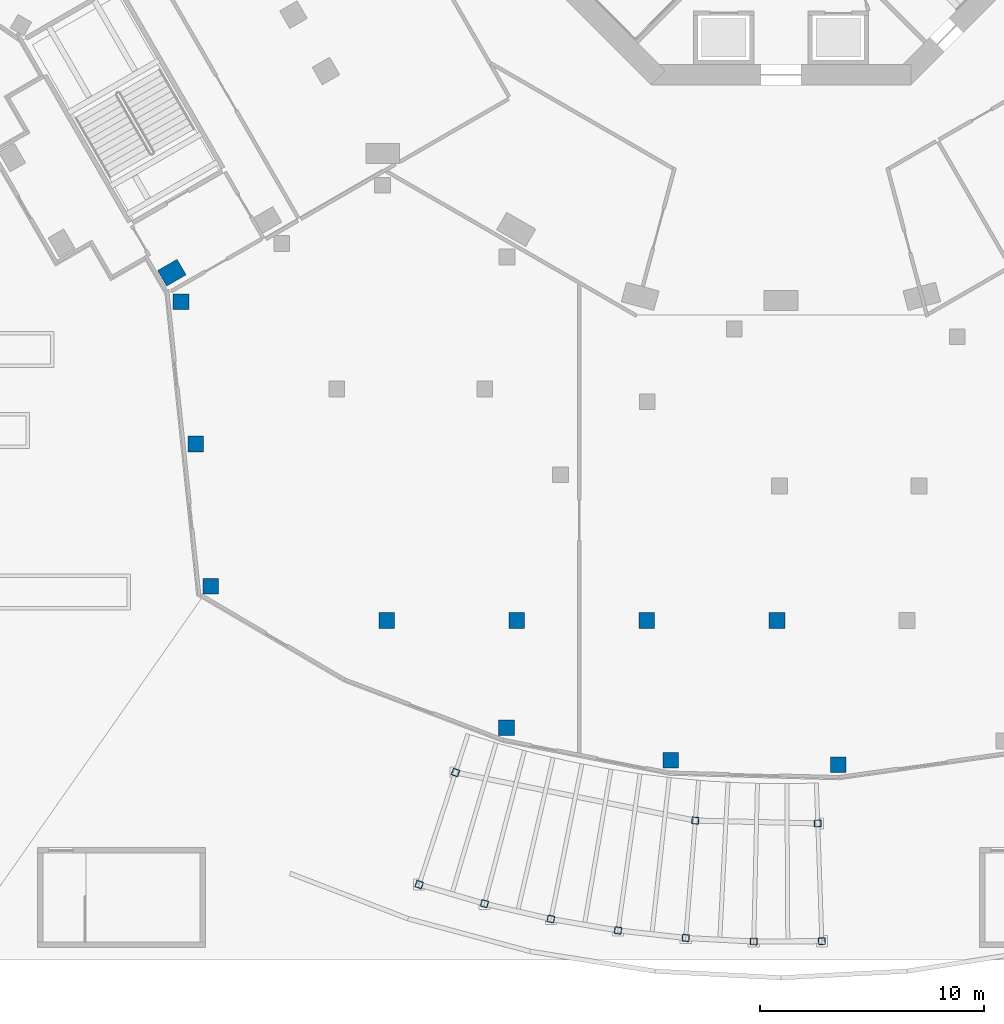
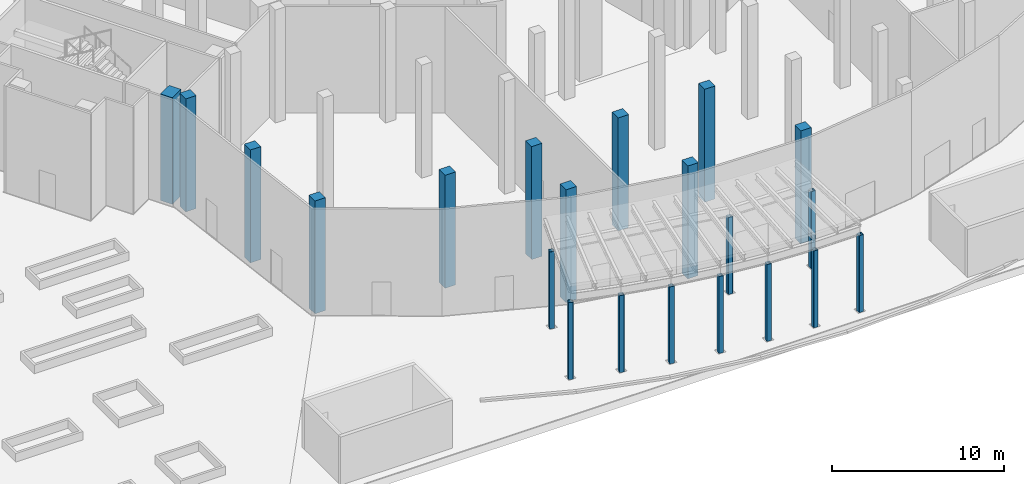
# One storey, part 1 of 30: 21 columns.
"""IFC4 building model written with IfcOpenShell, lengths in metres."""

from ifc_helpers import new_model, si_unit, direction, frame, origin, origin_2d, place, context, subcontext, project, spatial, rectangle, hollow_rectangle, extrude, material, material_profile, profile_set, type_object, element, save


model = new_model("IFC4")

# Units and contexts
model_context = context("Model", 3, precision=1e-05, world=origin(), true_north=direction((0.0, 1.0)))
body_context = subcontext(model_context, "Body", "Model", "MODEL_VIEW")
ifc_project = project(units=[si_unit("LENGTHUNIT", "METRE"), si_unit("AREAUNIT", "SQUARE_METRE"), si_unit("VOLUMEUNIT", "CUBIC_METRE"), si_unit("PLANEANGLEUNIT", "RADIAN"), si_unit("MASSUNIT", "GRAM", prefix="KILO")], contexts=[model_context])

# Site, building, storey
site_placement = place(None, origin())
site = spatial("IfcSite", under=ifc_project, at=site_placement, CompositionType="ELEMENT")
building_placement = place(site_placement, origin())
building = spatial("IfcBuilding", under=site, at=building_placement, Name="Verdalira Terraces Hotel", CompositionType="ELEMENT")
storey_placement = place(building_placement, origin())
storey = spatial("IfcBuildingStorey", under=building, at=storey_placement, Name="L00", CompositionType="ELEMENT", Elevation=0.0)

# Columns
ifc_material_1 = material(Name="Steel ASTM A500 Grade C", Category="steel")
ifc_material_profile_1 = material_profile(ifc_material_1, hollow_rectangle(XDim=0.3046875, YDim=0.3046875, WallThickness=0.0146484375, InnerFilletRadius=0.00732421875, OuterFilletRadius=0.022216796875, at=origin_2d()), Name="HSS12X12X5/8")
ifc_profile_set_1 = profile_set([ifc_material_profile_1], Name="Steel ASTM A500 Grade C")
column_type_1 = type_object("IfcColumnType", Name="Canopy column HSS12X12X5/8", PredefinedType="COLUMN", material=ifc_profile_set_1)
for number, where, z_axis, x_axis, name in (
    (1, (-16.130615, -49.645264, -0.060059), (0.0, 0.0, 1.0), (-0.309016994, -0.951056516, 0.0), "Canopy column K01"),
    (2, (-13.216797, -50.499023, -0.060059), (0.0, 0.0, 1.0), (-0.253195731, -0.967415072, 0.0), "Canopy column K02"),
    (3, (-10.258301, -51.182129, -0.060059), (0.0, 0.0, 1.0), (-0.196516039, -0.98050061, 0.0), "Canopy column K03"),
    (4, (-7.264893, -51.691895, -0.060059), (0.0, 0.0, 1.0), (-0.139173101, -0.990268069, 0.0), "Canopy column K04"),
    (5, (-4.246826, -52.0271, -0.060059), (0.0, 0.0, 1.0), (-0.081359255, -0.996684841, 0.0), "Canopy column K05"),
    (6, (-1.2146, -52.185791, -0.060059), (0.0, 0.0, 1.0), (-0.023268375, -0.999729255, 0.0), "Canopy column K06"),
    (7, (1.821777, -52.168213, -0.060059), (0.0, 0.0, 1.0), (0.034899497, -0.999390827, 0.0), "Canopy column K07"),
    (8, (-14.508301, -44.6521, -0.060059), (0.0, 0.0, 1.0), (-0.309016994, -0.951056516, 0.0), "Canopy column KI01"),
    (9, (-3.819824, -46.794434, -0.060059), (0.0, 0.0, 1.0), (-0.081359255, -0.996684841, 0.0), "Canopy column KI02"),
    (10, (1.638428, -46.921387, -0.060059), (0.0, 0.0, 1.0), (0.034899497, -0.999390827, 0.0), "Canopy column KI03"),
):
    element("IfcColumn", number, at=place(storey_placement, frame(where, z_axis=z_axis, x_axis=x_axis)), inside=storey, type_object=column_type_1, Name=name, PredefinedType="COLUMN", context=body_context, shape_type="SweptSolid", body=[
        extrude(hollow_rectangle(XDim=0.3046875, YDim=0.3046875, WallThickness=0.0146484375, InnerFilletRadius=0.00732421875, OuterFilletRadius=0.022216796875, at=origin_2d()), origin(), (0.0, 0.0, 1.0), 5.452881),
    ])
ifc_material_2 = material(Name="Concrete C80", Category="concrete")
ifc_material_profile_2 = material_profile(ifc_material_2, rectangle(XDim=1.0, YDim=0.800049, at=origin_2d()), Name="RC 1000X800")
ifc_profile_set_2 = profile_set([ifc_material_profile_2], Name="Concrete C80")
column_type_2 = type_object("IfcColumnType", Name="Column RC 1000X800 C80", PredefinedType="COLUMN", material=ifc_profile_set_2)
column_placement = place(storey_placement, frame((-27.151123, -22.372803, 0.0), z_axis=(0.0, 0.0, 1.0), x_axis=(0.866025404, 0.5, 0.0)))
element("IfcColumn", 11, at=column_placement, inside=storey, type_object=column_type_2, Name="Column C15", PredefinedType="COLUMN", context=body_context, shape_type="SweptSolid", body=[
    extrude(rectangle(XDim=1.0, YDim=0.800049, at=origin_2d()), origin(), (0.0, 0.0, 1.0), 7.550049),
])
ifc_material_3 = material(Name="Concrete C60", Category="concrete")
ifc_material_profile_3 = material_profile(ifc_material_3, rectangle(XDim=0.699951, YDim=0.699951, at=origin_2d()), Name="RC 700X700")
ifc_profile_set_3 = profile_set([ifc_material_profile_3], Name="Concrete C60")
column_type_3 = type_object("IfcColumnType", Name="Wing column RC 700X700 Concrete C60", PredefinedType="COLUMN", material=ifc_profile_set_3)
for number, where, z_axis, x_axis, name in (
    (12, (-26.748535, -23.664795, 0.0), (0.0, 0.0, 1.0), (0.0, -1.0, 0.0), "Wing column PC28"),
    (13, (-26.082275, -30.008789, 0.0), (0.0, 0.0, 1.0), (0.0, -1.0, 0.0), "Wing column PC31"),
    (14, (-25.416016, -36.353027, 0.0), (0.0, 0.0, 1.0), (0.0, -1.0, 0.0), "Wing column PC33"),
    (15, (-17.576904, -37.879883, 0.0), (0.0, 0.0, 1.0), (0.0, -1.0, 0.0), "Wing column PC36"),
    (16, (-11.778809, -37.879883, 0.0), (0.0, 0.0, 1.0), (0.0, -1.0, 0.0), "Wing column PC38"),
    (17, (-12.233154, -42.658447, 0.0), (0.0, 0.0, 1.0), (0.0, -1.0, 0.0), "Wing column PC39"),
    (18, (-5.980225, -37.879883, 0.0), (0.0, 0.0, 1.0), (0.0, -1.0, 0.0), "Wing column PC41"),
    (19, (-4.912109, -44.10498, 0.0), (0.0, 0.0, 1.0), (0.0, -1.0, 0.0), "Wing column PC42"),
    (20, (-0.181885, -37.879883, 0.0), (0.0, 0.0, 1.0), (0.0, -1.0, 0.0), "Wing column PC44"),
    (21, (2.548096, -44.304688, 0.0), (0.0, 0.0, 1.0), (0.0, -1.0, 0.0), "Wing column PC46"),
):
    element("IfcColumn", number, at=place(storey_placement, frame(where, z_axis=z_axis, x_axis=x_axis)), inside=storey, type_object=column_type_3, Name=name, PredefinedType="COLUMN", context=body_context, shape_type="SweptSolid", body=[
        extrude(rectangle(XDim=0.699951, YDim=0.699951, at=origin_2d()), origin(), (0.0, 0.0, 1.0), 8.0),
    ])

save(model, "model.ifc")
